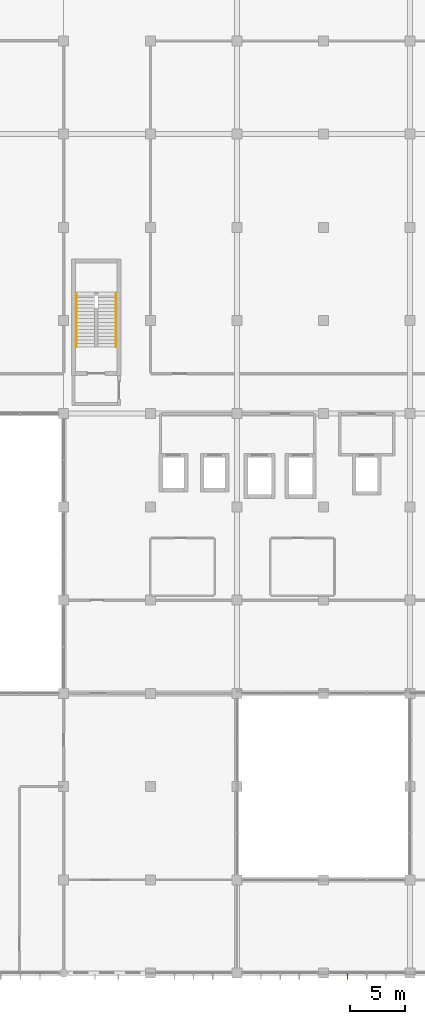
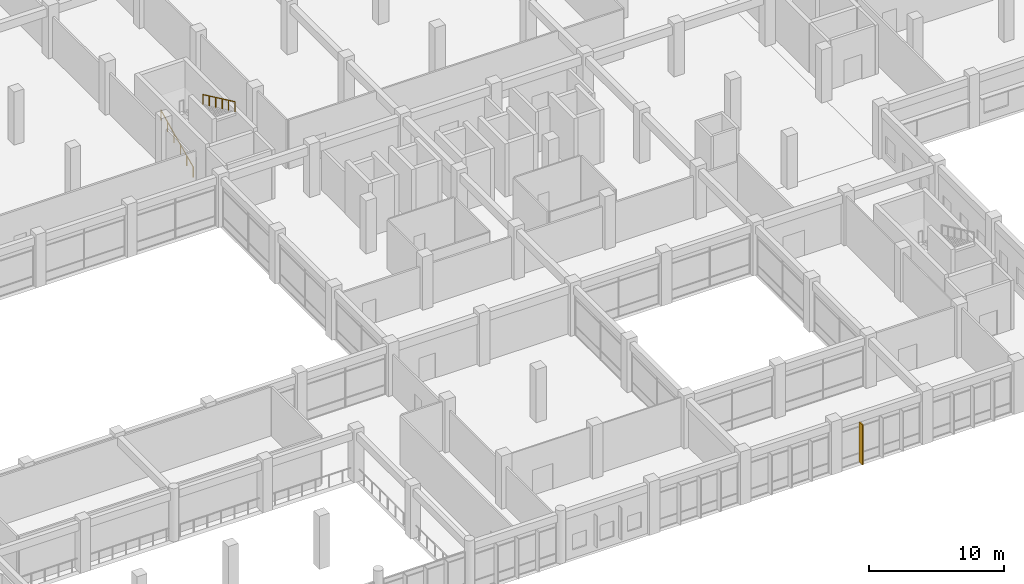
# One storey, part 71 of 79: 2 railings, 1 shading device.
"""IFC4 building model written with IfcOpenShell, lengths in metres."""

from ifc_helpers import new_model, si_unit, direction, frame, origin, origin_2d, place, context, subcontext, project, spatial, rectangle, circle, extrude, material, layer, layer_set, type_object, element, save


model = new_model("IFC4")

# Units and contexts
model_context = context("Model", 3, precision=1e-05, world=origin(), true_north=direction((0.0, 1.0)))
body_context = subcontext(model_context, "Body", "Model", "MODEL_VIEW")
ifc_project = project(units=[si_unit("LENGTHUNIT", "METRE"), si_unit("AREAUNIT", "SQUARE_METRE"), si_unit("VOLUMEUNIT", "CUBIC_METRE"), si_unit("PLANEANGLEUNIT", "RADIAN"), si_unit("MASSUNIT", "GRAM", prefix="KILO"), si_unit("THERMODYNAMICTEMPERATUREUNIT", "KELVIN"), si_unit("POWERUNIT", "WATT")], contexts=[model_context])

# Site, building, storey
site_placement = place(None, origin())
site = spatial("IfcSite", under=ifc_project, at=site_placement, CompositionType="ELEMENT")
building_placement = place(site_placement, origin())
building = spatial("IfcBuilding", under=site, at=building_placement, Name="Srebrne Nadtorze General Hospital", CompositionType="ELEMENT")
storey_placement = place(building_placement, frame((0.0, 0.0, 4.800048828125)))
storey = spatial("IfcBuildingStorey", under=building, at=storey_placement, Name="L01", CompositionType="ELEMENT", Elevation=4.800048828125)

# Shading device
ifc_material_1 = material(Name="Anodised Aluminium", Category="aluminium")
ifc_layer = layer(ifc_material_1, 0.070068359375)
ifc_layer_set = layer_set([ifc_layer], Name="Anodised Aluminium")
shading_device_type = type_object("IfcShadingDeviceType", Name="Koushi vertical brise-soleil fin", PredefinedType="SHUTTER", material=ifc_layer_set)
shading_device_placement = place(storey_placement, frame((126.97509765625, -0.300048828125, 0.06005859375), z_axis=(0.0, 0.0, 1.0), x_axis=(1.0, 0.0, 0.0)))
element("IfcShadingDevice", 1, at=shading_device_placement, inside=storey, type_object=shading_device_type, Name="Koushi vertical brise-soleil fin LV-080", PredefinedType="SHUTTER", context=body_context, shape_type="SweptSolid", body=[
    extrude(rectangle(XDim=0.070068359375, YDim=0.52001953125, at=origin_2d()), origin(), (0.0, 0.0, 1.0), 3.6298828125),
])

# Railings
ifc_material_2 = material(Name="Stainless Steel 316", Category="steel")
railing_type = type_object("IfcRailingType", Name="Tubular stainless handrail 920", PredefinedType="HANDRAIL", material=ifc_material_2)
railing_1_placement = place(storey_placement, frame((102.530029296875, 56.39990234375, 0.14990234375)))
element("IfcRailing", 2, at=railing_1_placement, inside=storey, type_object=railing_type, Name="Stair flight handrail ST-03-L01 F1", PredefinedType="HANDRAIL", context=body_context, shape_type="SweptSolid", body=[
    extrude(circle(Radius=0.02392578125, at=origin_2d()), frame((0.0, 0.0, 0.89599609375), z_axis=(0.0, 0.90546059521, 0.424430336476), x_axis=(-1.0, 0.0, 0.0)), (0.0, 0.0, 1.0), 5.30126953125),
    extrude(circle(Radius=0.02099609375, at=origin_2d()), origin(), (0.0, 0.0, 1.0), 0.871826171875),
    extrude(circle(Radius=0.02099609375, at=origin_2d()), frame((0.0, 0.9599609375, 0.449951171875)), (0.0, 0.0, 1.0), 0.871826171875),
    extrude(circle(Radius=0.02099609375, at=origin_2d()), frame((0.0, 1.919921875, 0.89990234375)), (0.0, 0.0, 1.0), 0.871826171875),
    extrude(circle(Radius=0.02099609375, at=origin_2d()), frame((0.0, 2.880126953125, 1.35009765625)), (0.0, 0.0, 1.0), 0.871826171875),
    extrude(circle(Radius=0.02099609375, at=origin_2d()), frame((0.0, 3.840087890625, 1.800048828125)), (0.0, 0.0, 1.0), 0.871826171875),
    extrude(circle(Radius=0.02099609375, at=origin_2d()), frame((0.0, 4.800048828125, 2.25)), (0.0, 0.0, 1.0), 0.871826171875),
])
railing_2_placement = place(storey_placement, frame((106.1201171875, 61.199951171875, 2.550048828125)))
element("IfcRailing", 3, at=railing_2_placement, inside=storey, type_object=railing_type, Name="Stair flight handrail ST-03-L01 F2", PredefinedType="HANDRAIL", context=body_context, shape_type="SweptSolid", body=[
    extrude(circle(Radius=0.02392578125, at=origin_2d()), frame((0.0, 0.0, 0.89599609375), z_axis=(0.0, -0.90546059521, 0.424430336476), x_axis=(1.0, 0.0, 0.0)), (0.0, 0.0, 1.0), 5.30126953125),
    extrude(circle(Radius=0.02099609375, at=origin_2d()), origin(), (0.0, 0.0, 1.0), 0.871826171875),
    extrude(circle(Radius=0.02099609375, at=origin_2d()), frame((0.0, -0.9599609375, 0.449951171875)), (0.0, 0.0, 1.0), 0.871826171875),
    extrude(circle(Radius=0.02099609375, at=origin_2d()), frame((0.0, -1.919921875, 0.89990234375)), (0.0, 0.0, 1.0), 0.871826171875),
    extrude(circle(Radius=0.02099609375, at=origin_2d()), frame((0.0, -2.880126953125, 1.35009765625)), (0.0, 0.0, 1.0), 0.871826171875),
    extrude(circle(Radius=0.02099609375, at=origin_2d()), frame((0.0, -3.840087890625, 1.800048828125)), (0.0, 0.0, 1.0), 0.871826171875),
    extrude(circle(Radius=0.02099609375, at=origin_2d()), frame((0.0, -4.800048828125, 2.25)), (0.0, 0.0, 1.0), 0.871826171875),
])

save(model, "model.ifc")
